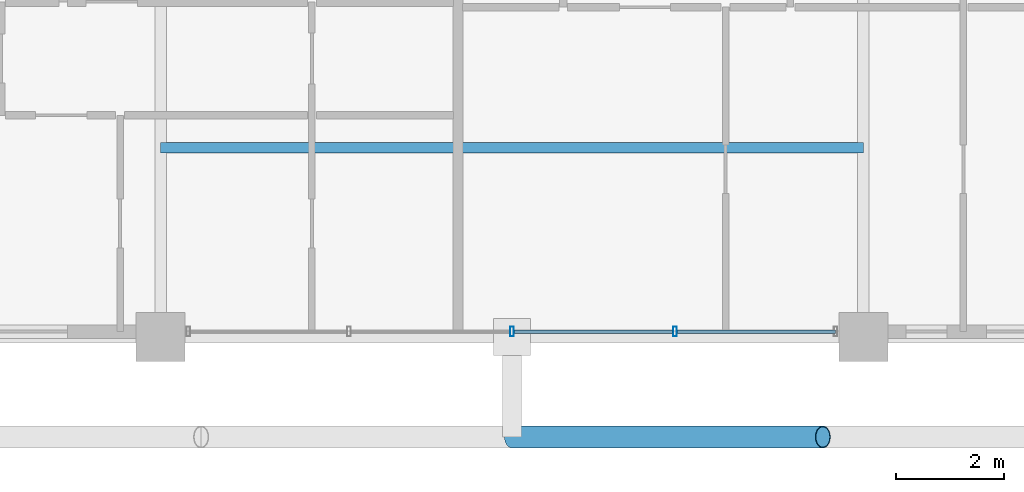
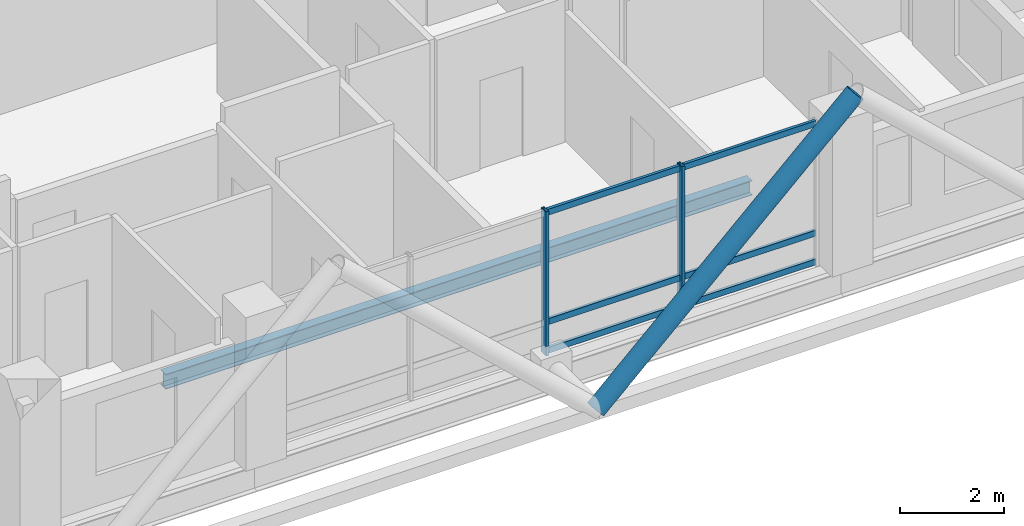
# One storey, part 5 of 21: 9 members, 1 beam, 1 element without a shape of its own.
"""IFC4 building model written with IfcOpenShell, lengths in metres."""

from ifc_helpers import new_model, si_unit, direction, frame, origin, origin_2d, place, context, subcontext, project, spatial, hollow_rectangle, hollow_circle, i_section, extrude, material, layer, layer_set, material_profile, profile_set, type_object, element, aggregate, save


model = new_model("IFC4")

# Units and contexts
model_context = context("Model", 3, precision=1e-05, world=origin(), true_north=direction((0.0, 1.0)))
body_context = subcontext(model_context, "Body", "Model", "MODEL_VIEW")
ifc_project = project(units=[si_unit("LENGTHUNIT", "METRE"), si_unit("AREAUNIT", "SQUARE_METRE"), si_unit("VOLUMEUNIT", "CUBIC_METRE"), si_unit("PLANEANGLEUNIT", "RADIAN"), si_unit("MASSUNIT", "GRAM", prefix="KILO")], contexts=[model_context])

# Site, building, storey
site_placement = place(None, origin())
site = spatial("IfcSite", under=ifc_project, at=site_placement, CompositionType="ELEMENT")
building_placement = place(site_placement, origin())
building = spatial("IfcBuilding", under=site, at=building_placement, Name="Barlavira Tower and Art Museum", CompositionType="ELEMENT")
storey_placement = place(building_placement, frame((0.0, 0.0, 261.89990234375)))
storey = spatial("IfcBuildingStorey", under=building, at=storey_placement, Name="L68", CompositionType="ELEMENT", Elevation=261.89990234375)

# Curtain wall, members
ifc_material_1 = material(Name="Low-iron coastal laminated glass", Category="glass")
ifc_layer = layer(ifc_material_1, 0.2099609375, Name="Low-iron coastal laminated glass")
ifc_layer_set = layer_set([ifc_layer], Name="Low-iron coastal laminated glass")
curtain_wall_type = type_object("IfcCurtainWallType", Name="Pale-Metal Unitised Curtain Wall Zone 4", PredefinedType="NOTDEFINED", material=ifc_layer_set)
curtain_wall_placement = place(storey_placement, origin())
curtain_wall = element("IfcCurtainWall", 1, at=curtain_wall_placement, inside=storey, type_object=curtain_wall_type, Name="L68 Curtain Wall CW4-L68-S-B2", PredefinedType="NOTDEFINED")
ifc_material_2 = material(Name="Pale anodised aluminium", Category="aluminium")
ifc_material_profile_1 = material_profile(ifc_material_2, hollow_rectangle(XDim=0.06494140625, YDim=0.179931640625, WallThickness=0.00390625, at=origin_2d()), Name="ALU-MULL 65x180x4")
ifc_profile_set_1 = profile_set([ifc_material_profile_1], Name="Pale anodised aluminium")
member_type_1 = type_object("IfcMemberType", Name="Curtain Wall Pale-Metal Mullion 65x180", PredefinedType="MULLION", material=ifc_profile_set_1)
member_1_placement = place(storey_placement, frame((0.0, -19.89990234375, 0.0), z_axis=(0.0, 0.0, 1.0), x_axis=(1.0, 0.0, 0.0)))
member_1 = element("IfcMember", 2, at=member_1_placement, type_object=member_type_1, Name="CW4-L68-S-B2 Mullion 2", PredefinedType="MULLION", context=body_context, shape_type="SweptSolid", body=[
    extrude(hollow_rectangle(XDim=0.06494140625, YDim=0.179931640625, WallThickness=0.00390625, at=origin_2d()), origin(), (0.0, 0.0, 1.0), 3.380126953125),
])
member_2_placement = place(storey_placement, frame((3.014892578125, -19.89990234375, 0.0), z_axis=(0.0, 0.0, 1.0), x_axis=(1.0, 0.0, 0.0)))
member_2 = element("IfcMember", 3, at=member_2_placement, type_object=member_type_1, Name="CW4-L68-S-B2 Mullion 3", PredefinedType="MULLION", context=body_context, shape_type="SweptSolid", body=[
    extrude(hollow_rectangle(XDim=0.06494140625, YDim=0.179931640625, WallThickness=0.00390625, at=origin_2d()), origin(), (0.0, 0.0, 1.0), 3.380126953125),
])
ifc_material_profile_2 = material_profile(ifc_material_2, hollow_rectangle(XDim=0.06494140625, YDim=0.139892578125, WallThickness=0.00390625, at=origin_2d()), Name="ALU-TRAN 65x140x4")
ifc_profile_set_2 = profile_set([ifc_material_profile_2], Name="Pale anodised aluminium")
member_type_2 = type_object("IfcMemberType", Name="Curtain Wall Pale-Metal Transom 65x140", PredefinedType="USERDEFINED", material=ifc_profile_set_2)
member_3_placement = place(storey_placement, frame((0.044921875, -19.89990234375, 0.070068359375), z_axis=(1.0, 0.0, 0.0), x_axis=(0.0, 1.0, 0.0)))
member_3 = element("IfcMember", 4, at=member_3_placement, type_object=member_type_2, Name="CW4-L68-S-B2 Transom 2.1", ObjectType="TRANSOM", PredefinedType="USERDEFINED", context=body_context, shape_type="SweptSolid", body=[
    extrude(hollow_rectangle(XDim=0.06494140625, YDim=0.139892578125, WallThickness=0.00390625, at=origin_2d()), origin(), (0.0, 0.0, 1.0), 2.925048828125),
])
member_4_placement = place(storey_placement, frame((0.044921875, -19.89990234375, 0.744140625), z_axis=(1.0, 0.0, 0.0), x_axis=(0.0, 1.0, 0.0)))
member_4 = element("IfcMember", 5, at=member_4_placement, type_object=member_type_2, Name="CW4-L68-S-B2 Transom 2.2", ObjectType="TRANSOM", PredefinedType="USERDEFINED", context=body_context, shape_type="SweptSolid", body=[
    extrude(hollow_rectangle(XDim=0.06494140625, YDim=0.139892578125, WallThickness=0.00390625, at=origin_2d()), origin(), (0.0, 0.0, 1.0), 2.925048828125),
])
member_5_placement = place(storey_placement, frame((0.044921875, -19.89990234375, 3.31005859375), z_axis=(1.0, 0.0, 0.0), x_axis=(0.0, 1.0, 0.0)))
member_5 = element("IfcMember", 6, at=member_5_placement, type_object=member_type_2, Name="CW4-L68-S-B2 Transom 2.3", ObjectType="TRANSOM", PredefinedType="USERDEFINED", context=body_context, shape_type="SweptSolid", body=[
    extrude(hollow_rectangle(XDim=0.06494140625, YDim=0.139892578125, WallThickness=0.00390625, at=origin_2d()), origin(), (0.0, 0.0, 1.0), 2.925048828125),
])
member_6_placement = place(storey_placement, frame((3.06005859375, -19.89990234375, 0.070068359375), z_axis=(1.0, 0.0, 0.0), x_axis=(0.0, 1.0, 0.0)))
member_6 = element("IfcMember", 7, at=member_6_placement, type_object=member_type_2, Name="CW4-L68-S-B2 Transom 3.1", ObjectType="TRANSOM", PredefinedType="USERDEFINED", context=body_context, shape_type="SweptSolid", body=[
    extrude(hollow_rectangle(XDim=0.06494140625, YDim=0.139892578125, WallThickness=0.00390625, at=origin_2d()), origin(), (0.0, 0.0, 1.0), 2.925048828125),
])
member_7_placement = place(storey_placement, frame((3.06005859375, -19.89990234375, 0.744140625), z_axis=(1.0, 0.0, 0.0), x_axis=(0.0, 1.0, 0.0)))
member_7 = element("IfcMember", 8, at=member_7_placement, type_object=member_type_2, Name="CW4-L68-S-B2 Transom 3.2", ObjectType="TRANSOM", PredefinedType="USERDEFINED", context=body_context, shape_type="SweptSolid", body=[
    extrude(hollow_rectangle(XDim=0.06494140625, YDim=0.139892578125, WallThickness=0.00390625, at=origin_2d()), origin(), (0.0, 0.0, 1.0), 2.925048828125),
])
member_8_placement = place(storey_placement, frame((3.06005859375, -19.89990234375, 3.31005859375), z_axis=(1.0, 0.0, 0.0), x_axis=(0.0, 1.0, 0.0)))
member_8 = element("IfcMember", 9, at=member_8_placement, type_object=member_type_2, Name="CW4-L68-S-B2 Transom 3.3", ObjectType="TRANSOM", PredefinedType="USERDEFINED", context=body_context, shape_type="SweptSolid", body=[
    extrude(hollow_rectangle(XDim=0.06494140625, YDim=0.139892578125, WallThickness=0.00390625, at=origin_2d()), origin(), (0.0, 0.0, 1.0), 2.925048828125),
])
aggregate(curtain_wall, [member_1, member_2, member_3, member_4, member_5, member_6, member_7, member_8])

# Member
ifc_material_3 = material(Name="Steel S355", Category="steel")
ifc_material_profile_3 = material_profile(ifc_material_3, hollow_circle(Radius=0.203125, WallThickness=0.01611328125, at=origin_2d()), Name="CHS 406.4x16.0")
ifc_profile_set_3 = profile_set([ifc_material_profile_3], Name="Steel S355")
member_type_3 = type_object("IfcMemberType", Name="Pale-Metal Exoskeleton Diagrid Tube CHS 406x16 Steel S355", PredefinedType="BRACE", material=ifc_profile_set_3)
member_9_placement = place(storey_placement, frame((0.0, -21.85009765625, -0.119873046875), z_axis=(0.728950095515, 0.0, 0.684566839869), x_axis=(0.0, 1.0, 0.0)))
element("IfcMember", 10, at=member_9_placement, inside=storey, type_object=member_type_3, Name="L68 Exoskeleton Diagrid Tube S", PredefinedType="BRACE", context=body_context, shape_type="SweptSolid", body=[
    extrude(hollow_circle(Radius=0.203125, WallThickness=0.01611328125, at=origin_2d()), origin(), (0.0, 0.0, 1.0), 7.887939453125),
])

# Beam
ifc_material_profile_4 = material_profile(ifc_material_3, i_section(OverallWidth=0.202880859375, OverallDepth=0.346923828125, WebThickness=0.0078125, FlangeThickness=0.013427734375, at=origin_2d()), Name="W360x64.0")
ifc_profile_set_4 = profile_set([ifc_material_profile_4], Name="Steel S355")
beam_type = type_object("IfcBeamType", Name="Zone 4 Composite Floor Joist W360x64 Steel S355", PredefinedType="JOIST", material=ifc_profile_set_4)
beam_placement = place(storey_placement, frame((-6.5, -16.5, -0.393310546875), z_axis=(1.0, 0.0, 0.0), x_axis=(0.0, 1.0, 0.0)))
element("IfcBeam", 11, at=beam_placement, inside=storey, type_object=beam_type, Name="L68 Joist C1", PredefinedType="JOIST", context=body_context, shape_type="SweptSolid", body=[
    extrude(i_section(OverallWidth=0.202880859375, OverallDepth=0.346923828125, WebThickness=0.0078125, FlangeThickness=0.013427734375, at=origin_2d()), origin(), (0.0, 0.0, 1.0), 13.0),
])

save(model, "model.ifc")
